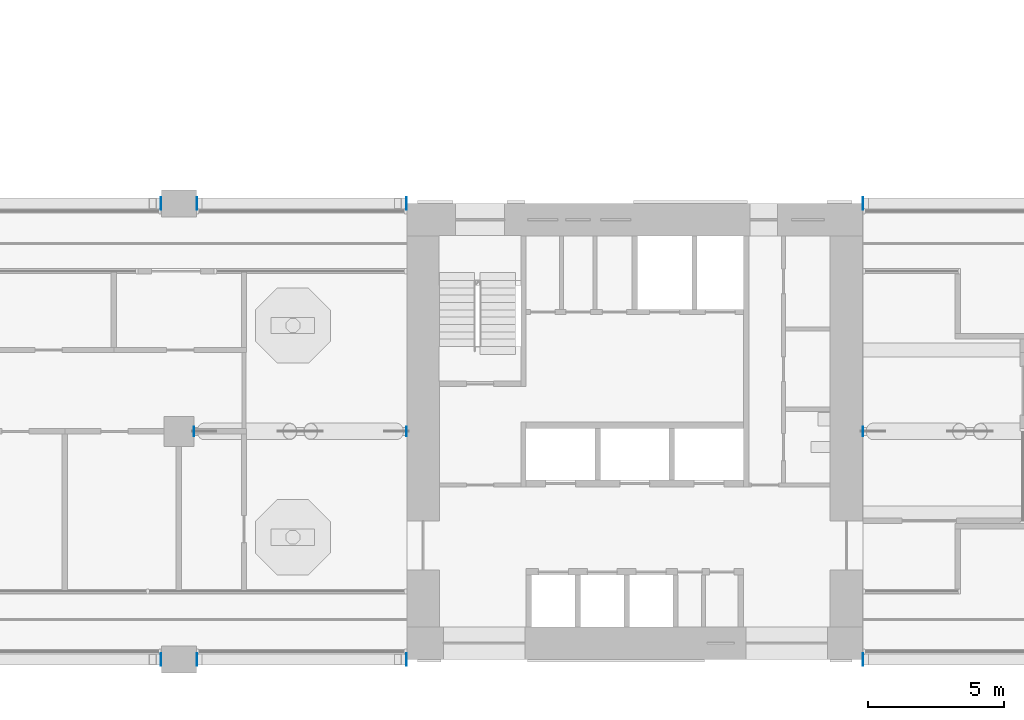
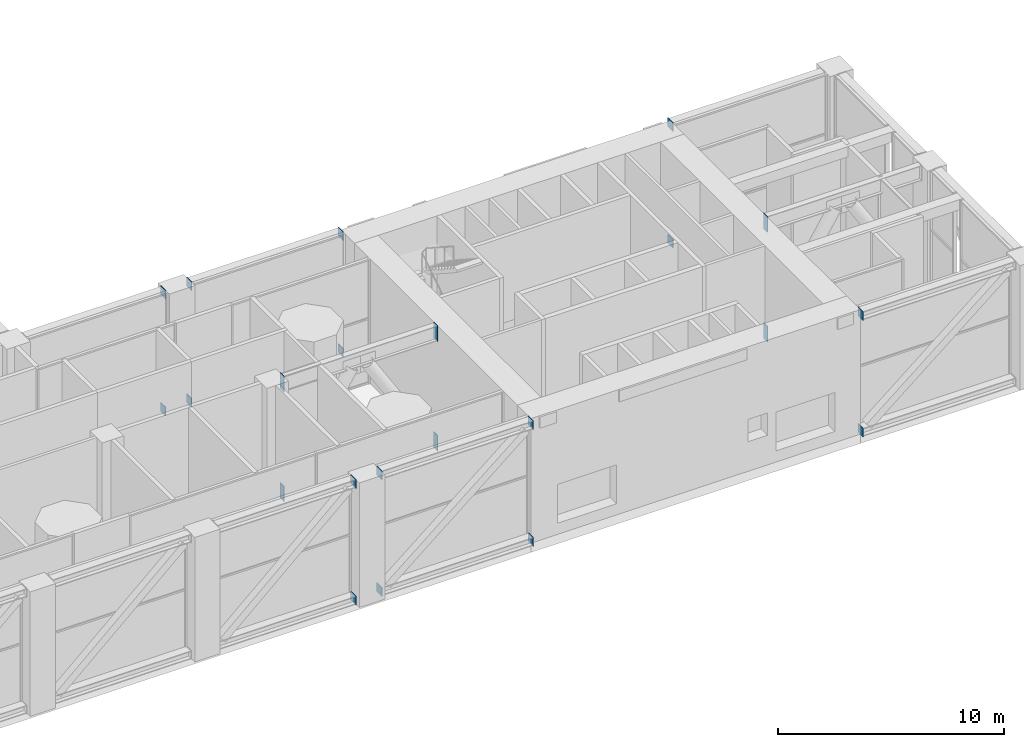
# One storey, part 15 of 22: 22 discrete accessories.
"""IFC4 building model written with IfcOpenShell, lengths in metres."""

from ifc_helpers import new_model, si_unit, direction, frame, origin, origin_2d, place, context, subcontext, project, spatial, rectangle, extrude, element, save


model = new_model("IFC4")

# Units and contexts
model_context = context("Model", 3, precision=1e-05, world=origin(), true_north=direction((0.0, 1.0)))
body_context = subcontext(model_context, "Body", "Model", "MODEL_VIEW")
ifc_project = project(units=[si_unit("LENGTHUNIT", "METRE"), si_unit("AREAUNIT", "SQUARE_METRE"), si_unit("VOLUMEUNIT", "CUBIC_METRE"), si_unit("PLANEANGLEUNIT", "RADIAN"), si_unit("MASSUNIT", "GRAM", prefix="KILO")], contexts=[model_context])

# Site, building, storey
site_placement = place(None, origin())
site = spatial("IfcSite", under=ifc_project, at=site_placement, CompositionType="ELEMENT")
building_placement = place(site_placement, origin())
building = spatial("IfcBuilding", under=site, at=building_placement, Name="Vermilion Gate Residences", CompositionType="ELEMENT")
storey_placement = place(building_placement, frame((0.0, 0.0, 140.699951171875)))
storey = spatial("IfcBuildingStorey", under=building, at=storey_placement, Name="L36", CompositionType="ELEMENT", Elevation=140.699951171875)

# Discrete accessories
for number, where, z_axis, x_axis, name in (
    (1, (32.9375, 8.39990234375, -0.02490234375), (0.0, 0.0, 1.0), (1.0, 0.0, 0.0), "End plate B36BELT29B 2"),
    (2, (32.9375, 8.39990234375, 6.26708984375), (0.0, 0.0, 1.0), (1.0, 0.0, 0.0), "End plate B36BELT29T 2"),
    (3, (32.9375, 25.199951171875, -0.02490234375), (0.0, 0.0, 1.0), (1.0, 0.0, 0.0), "End plate B36BELT30B 2"),
    (4, (32.9375, 25.199951171875, 6.26708984375), (0.0, 0.0, 1.0), (1.0, 0.0, 0.0), "End plate B36BELT30T 2"),
    (5, (34.262451171875, 8.39990234375, -0.02490234375), (0.0, 0.0, 1.0), (1.0, 0.0, 0.0), "End plate B36BELT31B 1"),
    (6, (41.987548828125, 8.39990234375, -0.02490234375), (0.0, 0.0, 1.0), (1.0, 0.0, 0.0), "End plate B36BELT31B 2"),
    (7, (34.262451171875, 8.39990234375, 6.26708984375), (0.0, 0.0, 1.0), (1.0, 0.0, 0.0), "End plate B36BELT31T 1"),
    (8, (41.987548828125, 8.39990234375, 6.26708984375), (0.0, 0.0, 1.0), (1.0, 0.0, 0.0), "End plate B36BELT31T 2"),
    (9, (34.262451171875, 25.199951171875, -0.02490234375), (0.0, 0.0, 1.0), (1.0, 0.0, 0.0), "End plate B36BELT32B 1"),
    (10, (41.987548828125, 25.199951171875, -0.02490234375), (0.0, 0.0, 1.0), (1.0, 0.0, 0.0), "End plate B36BELT32B 2"),
    (11, (34.262451171875, 25.199951171875, 6.26708984375), (0.0, 0.0, 1.0), (1.0, 0.0, 0.0), "End plate B36BELT32T 1"),
    (12, (41.987548828125, 25.199951171875, 6.26708984375), (0.0, 0.0, 1.0), (1.0, 0.0, 0.0), "End plate B36BELT32T 2"),
    (13, (58.8125, 8.39990234375, -0.02490234375), (0.0, 0.0, 1.0), (1.0, 0.0, 0.0), "End plate B36BELT33B 1"),
    (14, (58.8125, 8.39990234375, 6.26708984375), (0.0, 0.0, 1.0), (1.0, 0.0, 0.0), "End plate B36BELT33T 1"),
    (15, (58.8125, 25.199951171875, -0.02490234375), (0.0, 0.0, 1.0), (1.0, 0.0, 0.0), "End plate B36BELT36B 1"),
    (16, (58.8125, 25.199951171875, 6.26708984375), (0.0, 0.0, 1.0), (1.0, 0.0, 0.0), "End plate B36BELT36T 1"),
):
    element("IfcDiscreteAccessory", number, at=place(storey_placement, frame(where, z_axis=z_axis, x_axis=x_axis)), inside=storey, Name=name, ObjectType="END PLATE", PredefinedType="USERDEFINED", context=body_context, shape_type="SweptSolid", body=[
        extrude(rectangle(XDim=0.02490234375, YDim=0.45703125, at=origin_2d()), origin(), (0.0, 0.0, 1.0), 0.47802734375),
    ])
for number, where, z_axis, x_axis, name in (
    (17, (41.987548828125, 16.800048828125, -0.02490234375), (0.0, 0.0, 1.0), (1.0, 0.0, 0.0), "End plate O36OUT5B 1"),
    (18, (34.16259765625, 16.800048828125, -0.02490234375), (0.0, 0.0, 1.0), (1.0, 0.0, 0.0), "End plate O36OUT5B 2"),
    (19, (41.987548828125, 16.800048828125, 5.89501953125), (0.0, 0.0, 1.0), (1.0, 0.0, 0.0), "End plate O36OUT5T 1"),
    (20, (34.16259765625, 16.800048828125, 5.89501953125), (0.0, 0.0, 1.0), (1.0, 0.0, 0.0), "End plate O36OUT5T 2"),
    (21, (58.8125, 16.800048828125, -0.02490234375), (0.0, 0.0, 1.0), (1.0, 0.0, 0.0), "End plate O36OUT6B 1"),
    (22, (58.8125, 16.800048828125, 5.89501953125), (0.0, 0.0, 1.0), (1.0, 0.0, 0.0), "End plate O36OUT6T 1"),
):
    element("IfcDiscreteAccessory", number, at=place(storey_placement, frame(where, z_axis=z_axis, x_axis=x_axis)), inside=storey, Name=name, ObjectType="END PLATE", PredefinedType="USERDEFINED", context=body_context, shape_type="SweptSolid", body=[
        extrude(rectangle(XDim=0.02490234375, YDim=0.35009765625, at=origin_2d()), origin(), (0.0, 0.0, 1.0), 0.85009765625),
    ])

save(model, "model.ifc")
